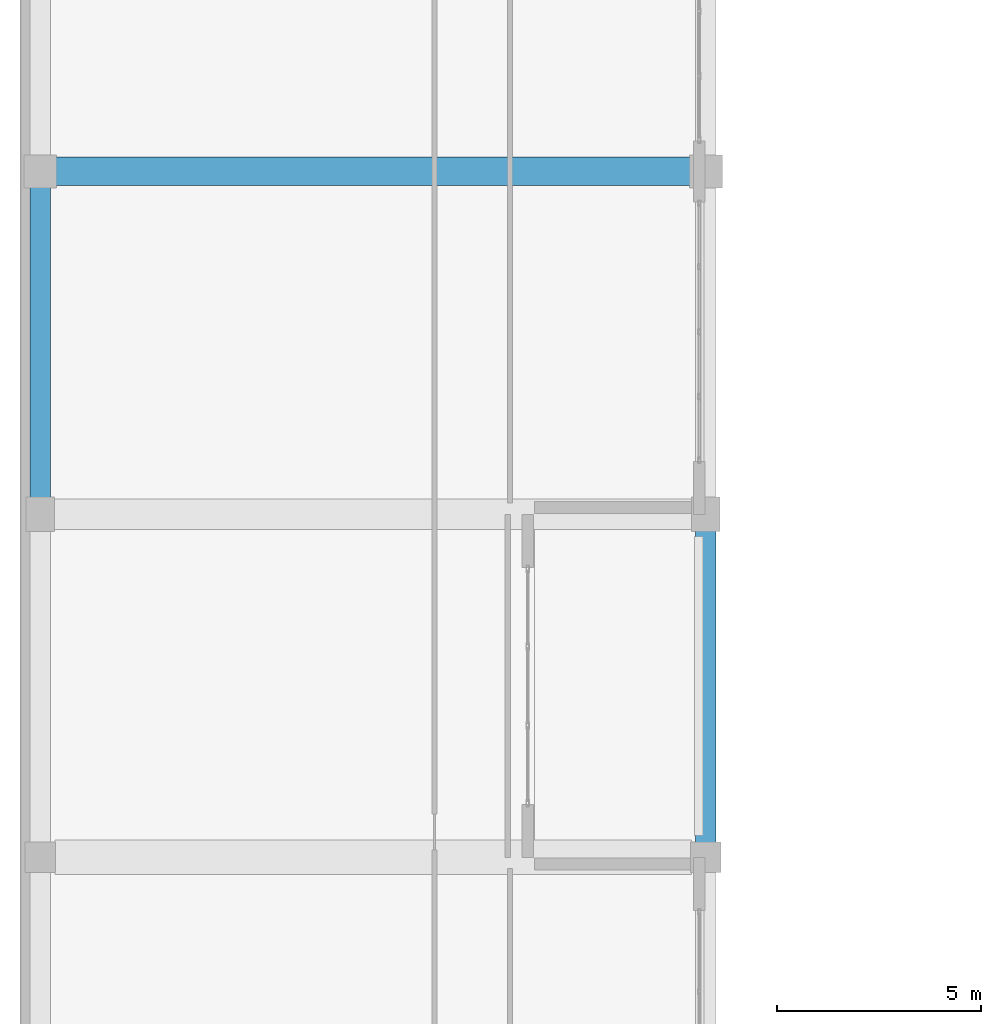
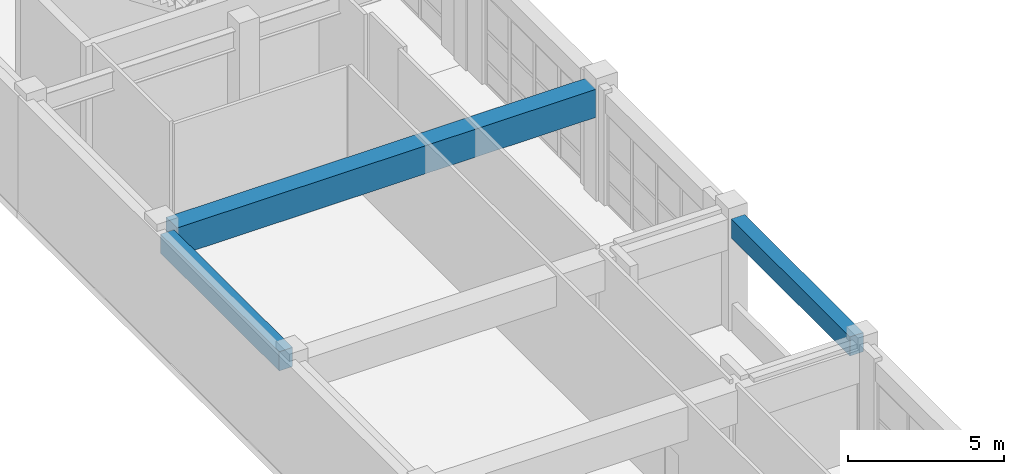
# One storey, part 21 of 123: 3 beams.
"""IFC4 building model written with IfcOpenShell, lengths in metres."""

from ifc_helpers import new_model, si_unit, direction, frame, origin, origin_2d, place, context, subcontext, project, spatial, rectangle, extrude, material, material_profile, profile_set, type_object, element, save


model = new_model("IFC4")

# Units and contexts
model_context = context("Model", 3, precision=1e-05, world=origin(), true_north=direction((0.0, 1.0)))
body_context = subcontext(model_context, "Body", "Model", "MODEL_VIEW")
ifc_project = project(units=[si_unit("LENGTHUNIT", "METRE"), si_unit("AREAUNIT", "SQUARE_METRE"), si_unit("VOLUMEUNIT", "CUBIC_METRE"), si_unit("PLANEANGLEUNIT", "RADIAN"), si_unit("MASSUNIT", "GRAM", prefix="KILO")], contexts=[model_context])

# Site, building, storey
site_placement = place(None, origin())
site = spatial("IfcSite", under=ifc_project, at=site_placement, CompositionType="ELEMENT")
building_placement = place(site_placement, origin())
building = spatial("IfcBuilding", under=site, at=building_placement, Name="Quendrovan Civic Courthouse", CompositionType="ELEMENT")
storey_placement = place(building_placement, frame((0.0, 0.0, 5.39990234375)))
storey = spatial("IfcBuildingStorey", under=building, at=storey_placement, Name="L02", CompositionType="ELEMENT", Elevation=5.39990234375)

# Beams
ifc_material_1 = material(Name="Post-tensioned concrete C50/60", Category="concrete")
ifc_material_profile_1 = material_profile(ifc_material_1, rectangle(XDim=0.699951171875, YDim=1.10009765625, at=origin_2d()), Name="PT-GIRD-700x1100")
ifc_profile_set_1 = profile_set([ifc_material_profile_1], Name="Post-tensioned concrete C50/60")
beam_type_1 = type_object("IfcBeamType", Name="BM-PT1100", PredefinedType="BEAM", material=ifc_profile_set_1)
beam_1_placement = place(storey_placement, frame((0.8798828125, 48.0, 3.81005859375), z_axis=(1.0, 0.0, 0.0), x_axis=(0.0, 1.0, 0.0)))
element("IfcBeam", 1, at=beam_1_placement, inside=storey, type_object=beam_type_1, Name="L02 Girder X0525", PredefinedType="BEAM", context=body_context, shape_type="SweptSolid", body=[
    extrude(rectangle(XDim=0.699951171875, YDim=1.10009765625, at=origin_2d()), origin(), (0.0, 0.0, 1.0), 15.5400390625),
])
ifc_material_2 = material(Name="Concrete C40/50", Category="concrete")
ifc_material_profile_2 = material_profile(ifc_material_2, rectangle(XDim=0.5, YDim=0.75, at=origin_2d()), Name="RC-BM-500x750")
ifc_profile_set_2 = profile_set([ifc_material_profile_2], Name="Concrete C40/50")
beam_type_2 = type_object("IfcBeamType", Name="BM-RC750", PredefinedType="SPANDREL", material=ifc_profile_set_2)
beam_2_placement = place(storey_placement, frame((0.5, 40.0048828125, 3.985107421875), z_axis=(0.0, 1.0, 0.0), x_axis=(-1.0, 0.0, 0.0)))
element("IfcBeam", 2, at=beam_2_placement, inside=storey, type_object=beam_type_2, Name="L02 Girder Y0610", PredefinedType="SPANDREL", context=body_context, shape_type="SweptSolid", body=[
    extrude(rectangle(XDim=0.5, YDim=0.75, at=origin_2d()), origin(), (0.0, 0.0, 1.0), 7.615234375),
])
beam_3_placement = place(storey_placement, frame((16.800048828125, 31.554931640625, 3.985107421875), z_axis=(0.0, 1.0, 0.0), x_axis=(-1.0, 0.0, 0.0)))
element("IfcBeam", 3, at=beam_3_placement, inside=storey, type_object=beam_type_2, Name="L02 Girder Y0626", PredefinedType="SPANDREL", context=body_context, shape_type="SweptSolid", body=[
    extrude(rectangle(XDim=0.5, YDim=0.75, at=origin_2d()), origin(), (0.0, 0.0, 1.0), 7.64013671875),
])

save(model, "model.ifc")
